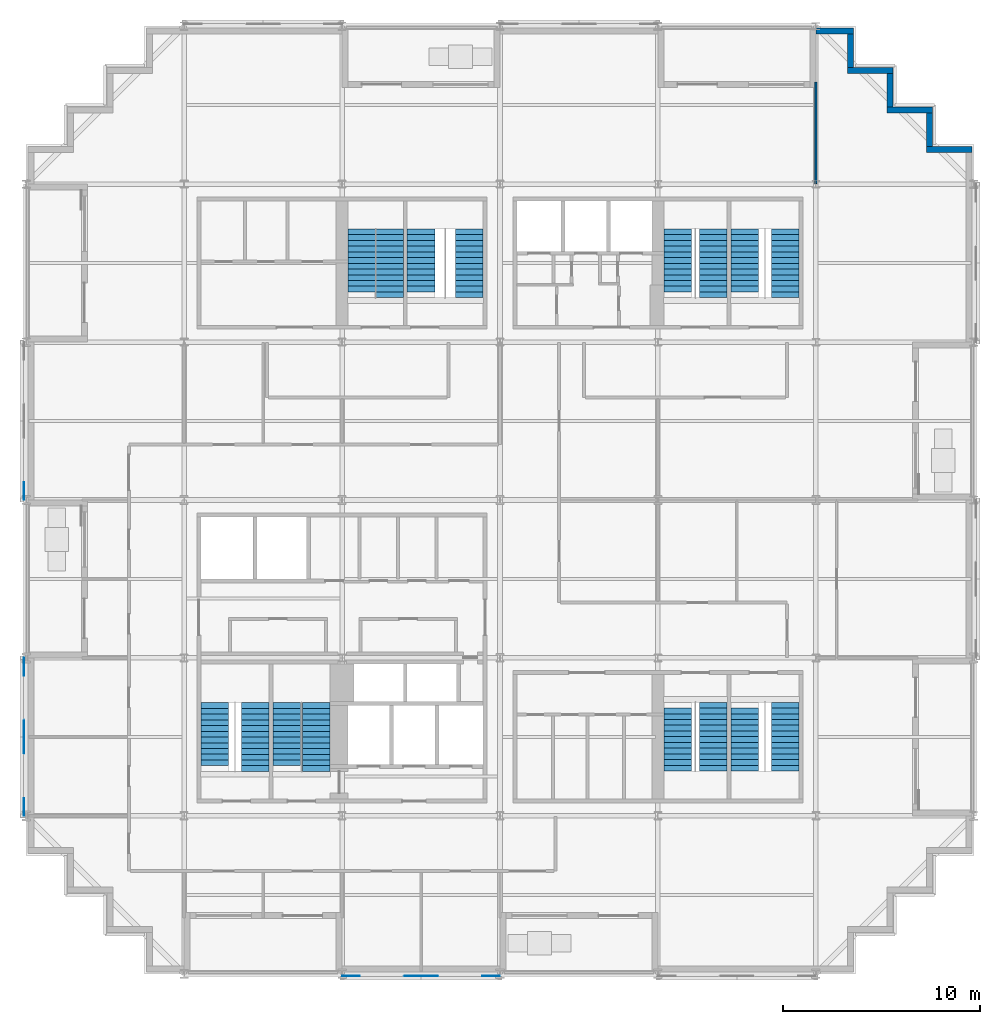
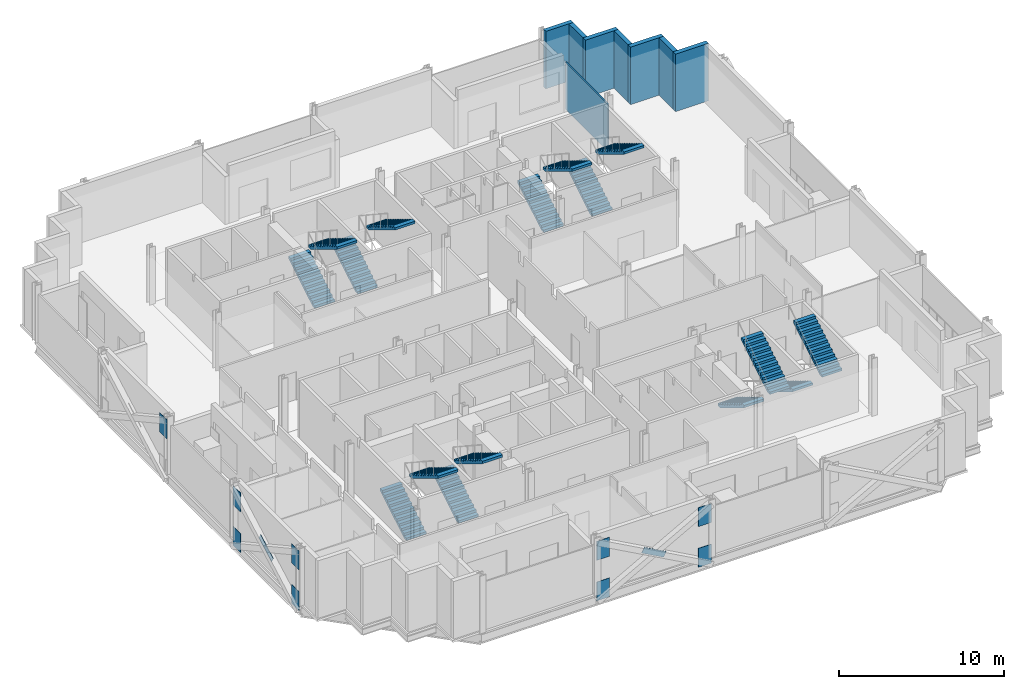
# One storey, part 11 of 15: 16 stair flights, 11 discrete accessories, 8 walls, 8 elements without a shape of their own.
"""IFC4 building model written with IfcOpenShell, lengths in metres."""

import ifcopenshell
import ifcopenshell.guid

model = None  # the IFC model being written
_history = None  # IfcOwnerHistory: only IFC2X3 demands one
_inside = {}  # id of a spatial element -> (the spatial element, [elements in it])
_under = {}  # id of a project, library or spatial element -> (it, [spatial elements below it])
_declared = {}  # id of a project -> (the project, [libraries it declares])
_typed = {}  # id of a type object -> (the type object, [elements of that type])
_made_of = {}  # id of a material, layer set ... -> (it, [elements and type objects made of it])


def new_model(schema):
    """Start an empty IFC model of exactly this schema.

    Asked for "IFC4X3", IfcOpenShell would pick the latest addendum, in which some entities
    have other attributes; the version numbers below select the first issue.
    IFC2X3 requires an IfcOwnerHistory on every rooted entity: one is made here for all.
    """
    global model, _history
    if schema == "IFC4X3":
        model = ifcopenshell.file(schema_version=(4, 3, 0, 0))
    else:
        model = ifcopenshell.file(schema=schema)
    _inside.clear()
    _under.clear()
    _declared.clear()
    _typed.clear()
    _made_of.clear()
    _history = None
    if model.schema == "IFC2X3":
        org = make("IfcOrganization", Name="unknown")
        user = make(
            "IfcPersonAndOrganization",
            ThePerson=make("IfcPerson", FamilyName="unknown"),
            TheOrganization=org,
        )
        app = make(
            "IfcApplication",
            ApplicationDeveloper=org,
            Version="unknown",
            ApplicationFullName="unknown",
            ApplicationIdentifier="unknown",
        )
        _history = make(
            "IfcOwnerHistory",
            OwningUser=user,
            OwningApplication=app,
            ChangeAction="ADDED",
            CreationDate=0,
        )
    return model


def make(cls, **values):
    """One entity of the class cls with the attributes given. An attribute that is None is left unset."""
    return model.create_entity(
        cls, **{name: value for name, value in values.items() if value is not None}
    )


def rooted(cls, **values):
    """An entity with a GlobalId (a new one), such as an element, a storey or a relation."""
    return make(cls, GlobalId=ifcopenshell.guid.new(), OwnerHistory=_history, **values)


def si_unit(unit_type, name, prefix=None):
    """IfcSIUnit, for example si_unit("LENGTHUNIT", "METRE", prefix="MILLI")."""
    return make("IfcSIUnit", UnitType=unit_type, Prefix=prefix, Name=name)


def assignment(units):
    """IfcUnitAssignment: the units of a project."""
    return None if units is None else make("IfcUnitAssignment", Units=units)


def point(xyz):
    """IfcCartesianPoint."""
    return None if xyz is None else make("IfcCartesianPoint", Coordinates=xyz)


def direction(xyz):
    """IfcDirection."""
    return None if xyz is None else make("IfcDirection", DirectionRatios=xyz)


def frame(location, z_axis=None, x_axis=None):
    """IfcAxis2Placement3D, a coordinate frame: its origin and axes. An axis left out is left unset."""
    return make(
        "IfcAxis2Placement3D",
        Location=point(location),
        Axis=direction(z_axis),
        RefDirection=direction(x_axis),
    )


def frame_2d(location, x_axis=None):
    """IfcAxis2Placement2D, a coordinate frame in the plane: its origin and x axis."""
    return make(
        "IfcAxis2Placement2D", Location=point(location), RefDirection=direction(x_axis)
    )


def origin():
    """The frame at (0, 0, 0) with its axes left unset."""
    return frame((0.0, 0.0, 0.0))


def origin_2d():
    """The frame at (0, 0) in the plane with its x axis left unset."""
    return frame_2d((0.0, 0.0))


def place(relative_to, where):
    """IfcLocalPlacement: puts the frame where relative to a parent placement (None: the world)."""
    return make(
        "IfcLocalPlacement", PlacementRelTo=relative_to, RelativePlacement=where
    )


def context(
    kind, dimensions, precision=None, world=None, true_north=None, identifier=None
):
    """IfcGeometricRepresentationContext, for example the 3D "Model" context."""
    return make(
        "IfcGeometricRepresentationContext",
        ContextIdentifier=identifier,
        ContextType=kind,
        CoordinateSpaceDimension=dimensions,
        Precision=precision,
        WorldCoordinateSystem=world,
        TrueNorth=true_north,
    )


def subcontext(parent, identifier, kind, view, scale=None):
    """IfcGeometricRepresentationSubContext, for example "Body" below "Model"."""
    return make(
        "IfcGeometricRepresentationSubContext",
        ContextIdentifier=identifier,
        ContextType=kind,
        ParentContext=parent,
        TargetScale=scale,
        TargetView=view,
    )


def project(units=None, contexts=None):
    """IfcProject with its units and contexts."""
    return rooted(
        "IfcProject",
        Name="project",
        RepresentationContexts=contexts,
        UnitsInContext=assignment(units),
    )


def spatial(cls, under=None, at=None, **own):
    """A site, building, storey or space (cls), placed at a placement, below another one or the project."""
    s = rooted(cls, ObjectPlacement=at, **own)
    if under is not None:
        _under.setdefault(under.id(), (under, []))[1].append(s)
    return s


def polyline(points):
    """IfcPolyline through the points."""
    return make("IfcPolyline", Points=[point(p) for p in points])


def profile(cls, at=None, kind="AREA", **sizes):
    """A parametric profile (cls). Its sizes go by their IFC names, for example OverallWidth=200.0."""
    return make(cls, ProfileType=kind, Position=at, **sizes)


def rectangle(**sizes):
    """IfcRectangleProfileDef."""
    return profile("IfcRectangleProfileDef", **sizes)


def outline(outer, holes=None, kind="AREA"):
    """IfcArbitraryClosedProfileDef: a profile drawn as a closed curve; with holes, ...WithVoids."""
    if holes is None:
        return make("IfcArbitraryClosedProfileDef", ProfileType=kind, OuterCurve=outer)
    return make(
        "IfcArbitraryProfileDefWithVoids",
        ProfileType=kind,
        OuterCurve=outer,
        InnerCurves=holes,
    )


def extrude(swept, where, along, depth):
    """IfcExtrudedAreaSolid: the profile swept, set in the frame where, extruded along a direction by depth."""
    return make(
        "IfcExtrudedAreaSolid",
        SweptArea=swept,
        Position=where,
        ExtrudedDirection=direction(along),
        Depth=depth,
    )


def shape(context_of_items, identifier, shape_type, items):
    """IfcShapeRepresentation: the items that make up one representation, for example the "Body"."""
    return make(
        "IfcShapeRepresentation",
        ContextOfItems=context_of_items,
        RepresentationIdentifier=identifier,
        RepresentationType=shape_type,
        Items=items,
    )


def material(Name=None, Category=None):
    """IfcMaterial."""
    return make("IfcMaterial", Name=Name, Category=Category)


def layer(
    of_material, thickness, ventilated=None, Name=None, Category=None, Priority=None
):
    """IfcMaterialLayer: one layer of a wall or slab, of a material (None: an air gap)."""
    return make(
        "IfcMaterialLayer",
        Material=of_material,
        LayerThickness=thickness,
        IsVentilated=ventilated,
        Name=Name,
        Category=Category,
        Priority=Priority,
    )


def layer_set(layers, Name=None):
    """IfcMaterialLayerSet."""
    return make("IfcMaterialLayerSet", MaterialLayers=layers, LayerSetName=Name)


def material_profile(
    of_material, cross_section, Name=None, Category=None, Priority=None
):
    """IfcMaterialProfile: a cross section and its material."""
    return make(
        "IfcMaterialProfile",
        Name=Name,
        Material=of_material,
        Profile=cross_section,
        Priority=Priority,
        Category=Category,
    )


def profile_set(profiles, Name=None, composite=None):
    """IfcMaterialProfileSet."""
    return make(
        "IfcMaterialProfileSet",
        Name=Name,
        MaterialProfiles=profiles,
        CompositeProfile=composite,
    )


def made_of(thing, what):
    """Note that an element or type object is made of a material, layer set ...; save() writes the relation."""
    if what is not None:
        _made_of.setdefault(what.id(), (what, []))[1].append(thing)
    return thing


def type_object(cls, material=None, **own):
    """A type object (cls), such as IfcWallType, which elements share."""
    return made_of(rooted(cls, **own), material)


def element(
    cls,
    number,
    at=None,
    inside=None,
    cuts=None,
    type_object=None,
    material=None,
    context=None,
    identifier="Body",
    shape_type=None,
    held_by="IfcProductDefinitionShape",
    body=None,
    shapes=None,
    **own,
):
    """One element of the class cls, such as IfcWall. Its Tag is "e" and its number.

    at: its placement. inside: the storey or other place that contains it. cuts: it is an
    opening in that element (IfcRelVoidsElement). A single representation is given by context,
    identifier, shape_type and body (its items); several are given by shapes. held_by: the class
    of the entity that holds the representations. save() writes the other relations.
    """
    e = rooted(cls, Tag="e%d" % number, ObjectPlacement=at, **own)
    if body is not None:
        shapes = [shape(context, identifier, shape_type, body)]
    if shapes is not None:
        e.Representation = make(held_by, Representations=shapes)
    if inside is not None:
        _inside.setdefault(inside.id(), (inside, []))[1].append(e)
    if cuts is not None:
        rooted(
            "IfcRelVoidsElement", RelatingBuildingElement=cuts, RelatedOpeningElement=e
        )
    if type_object is not None:
        _typed.setdefault(type_object.id(), (type_object, []))[1].append(e)
    return made_of(e, material)


def aggregate(whole, parts):
    """IfcRelAggregates: a whole, such as a stair, and the parts it consists of."""
    return rooted("IfcRelAggregates", RelatingObject=whole, RelatedObjects=parts)


def save(model, path):
    """Write the relations noted so far, then the file.

    IfcRelAggregates (storeys below a building ...), IfcRelContainedInSpatialStructure (elements
    in a storey), IfcRelDefinesByType, IfcRelAssociatesMaterial and IfcRelDeclares: one each for
    every whole, place, type object, material and project.
    """
    for whole, parts in _under.values():
        aggregate(whole, parts)
    for where, things in _inside.values():
        rooted(
            "IfcRelContainedInSpatialStructure",
            RelatedElements=things,
            RelatingStructure=where,
        )
    for kind, things in _typed.values():
        rooted("IfcRelDefinesByType", RelatedObjects=things, RelatingType=kind)
    for what, things in _made_of.values():
        rooted("IfcRelAssociatesMaterial", RelatedObjects=things, RelatingMaterial=what)
    for by, libraries in _declared.values():
        rooted("IfcRelDeclares", RelatingContext=by, RelatedDefinitions=libraries)
    model.write(path)


model = new_model("IFC4")

# Units and contexts
model_context = context("Model", 3, precision=1e-05, world=origin(), true_north=direction((0.0, 1.0)))
body_context = subcontext(model_context, "Body", "Model", "MODEL_VIEW")
ifc_project = project(units=[si_unit("LENGTHUNIT", "METRE"), si_unit("AREAUNIT", "SQUARE_METRE"), si_unit("VOLUMEUNIT", "CUBIC_METRE"), si_unit("PLANEANGLEUNIT", "RADIAN"), si_unit("MASSUNIT", "GRAM", prefix="KILO")], contexts=[model_context])

# Site, building, storey
site_placement = place(None, origin())
site = spatial("IfcSite", under=ifc_project, at=site_placement, CompositionType="ELEMENT")
building_placement = place(site_placement, origin())
building = spatial("IfcBuilding", under=site, at=building_placement, Name="Immortelle Media Tower", CompositionType="ELEMENT")
storey_placement = place(building_placement, frame((0.0, 0.0, 83.199951171875)))
storey = spatial("IfcBuildingStorey", under=building, at=storey_placement, Name="L15", CompositionType="ELEMENT", Elevation=83.199951171875)

# Walls
ifc_material_1 = material(Name="Pale aluminium cladding panel", Category="aluminium")
ifc_layer_1 = layer(ifc_material_1, 0.030029296875)
ifc_material_2 = material(Name="Steel ASTM A653 SS Gr 50 stud frame with mineral wool", Category="steel")
ifc_layer_2 = layer(ifc_material_2, 0.257568359375)
ifc_material_3 = material(Name="Moisture-resistant gypsum board", Category="gypsum")
ifc_layer_3 = layer(ifc_material_3, 0.012451171875)
ifc_layer_set_1 = layer_set([ifc_layer_1, ifc_layer_2, ifc_layer_3], Name="Steel ASTM A653 SS Gr 50 stud frame with mineral wool")
wall_type_1 = type_object("IfcWallType", Name="Facade wall 300", PredefinedType="SOLIDWALL", material=ifc_layer_set_1)
wall_1_placement = place(storey_placement, frame((47.89990234375, 41.75, 0.0), z_axis=(0.0, 0.0, 1.0), x_axis=(-1.0, 0.0, 0.0)))
element("IfcWall", 1, at=wall_1_placement, inside=storey, type_object=wall_type_1, Name="Facade wall L15 N15", PredefinedType="SOLIDWALL", context=body_context, shape_type="SweptSolid", body=[
    extrude(rectangle(XDim=2.2998046875, YDim=0.300048828125, at=frame_2d((1.14990234375, 0.0))), origin(), (0.0, 0.0, 1.0), 4.25),
])
wall_2_placement = place(storey_placement, frame((45.75, 41.89990234375, 0.0), z_axis=(0.0, 0.0, 1.0), x_axis=(0.0, 1.0, 0.0)))
element("IfcWall", 2, at=wall_2_placement, inside=storey, type_object=wall_type_1, Name="Facade wall L15 E16", PredefinedType="SOLIDWALL", context=body_context, shape_type="SweptSolid", body=[
    extrude(rectangle(XDim=1.7001953125, YDim=0.300048828125, at=frame_2d((0.85009765625, 0.0))), origin(), (0.0, 0.0, 1.0), 4.25),
])
wall_3_placement = place(storey_placement, frame((45.89990234375, 43.75, 0.0), z_axis=(0.0, 0.0, 1.0), x_axis=(-1.0, 0.0, 0.0)))
element("IfcWall", 3, at=wall_3_placement, inside=storey, type_object=wall_type_1, Name="Facade wall L15 N17", PredefinedType="SOLIDWALL", context=body_context, shape_type="SweptSolid", body=[
    extrude(rectangle(XDim=2.2998046875, YDim=0.300048828125, at=frame_2d((1.14990234375, 0.0))), origin(), (0.0, 0.0, 1.0), 4.25),
])
wall_4_placement = place(storey_placement, frame((43.75, 43.89990234375, 0.0), z_axis=(0.0, 0.0, 1.0), x_axis=(0.0, 1.0, 0.0)))
element("IfcWall", 4, at=wall_4_placement, inside=storey, type_object=wall_type_1, Name="Facade wall L15 E18", PredefinedType="SOLIDWALL", context=body_context, shape_type="SweptSolid", body=[
    extrude(rectangle(XDim=1.7001953125, YDim=0.300048828125, at=frame_2d((0.85009765625, 0.0))), origin(), (0.0, 0.0, 1.0), 4.25),
])
wall_5_placement = place(storey_placement, frame((43.89990234375, 45.75, 0.0), z_axis=(0.0, 0.0, 1.0), x_axis=(-1.0, 0.0, 0.0)))
element("IfcWall", 5, at=wall_5_placement, inside=storey, type_object=wall_type_1, Name="Facade wall L15 N19", PredefinedType="SOLIDWALL", context=body_context, shape_type="SweptSolid", body=[
    extrude(rectangle(XDim=2.2998046875, YDim=0.300048828125, at=frame_2d((1.14990234375, 0.0))), origin(), (0.0, 0.0, 1.0), 4.25),
])
wall_6_placement = place(storey_placement, frame((41.75, 45.89990234375, 0.0), z_axis=(0.0, 0.0, 1.0), x_axis=(0.0, 1.0, 0.0)))
element("IfcWall", 6, at=wall_6_placement, inside=storey, type_object=wall_type_1, Name="Facade wall L15 E20", PredefinedType="SOLIDWALL", context=body_context, shape_type="SweptSolid", body=[
    extrude(rectangle(XDim=1.7001953125, YDim=0.300048828125, at=frame_2d((0.85009765625, 0.0))), origin(), (0.0, 0.0, 1.0), 4.25),
])
wall_7_placement = place(storey_placement, frame((41.89990234375, 47.75, 0.0), z_axis=(0.0, 0.0, 1.0), x_axis=(-1.0, 0.0, 0.0)))
element("IfcWall", 7, at=wall_7_placement, inside=storey, type_object=wall_type_1, Name="Facade wall L15 N21", PredefinedType="SOLIDWALL", context=body_context, shape_type="SweptSolid", body=[
    extrude(rectangle(XDim=1.89990234375, YDim=0.300048828125, at=frame_2d((0.949951171875, 0.0))), origin(), (0.0, 0.0, 1.0), 4.25),
])
ifc_material_4 = material(Name="Gypsum board", Category="gypsum")
ifc_layer_4 = layer(ifc_material_4, 0.012451171875)
ifc_layer_5 = layer(ifc_material_2, 0.074951171875)
ifc_layer_6 = layer(ifc_material_4, 0.012451171875)
ifc_layer_set_2 = layer_set([ifc_layer_4, ifc_layer_5, ifc_layer_6], Name="Steel ASTM A653 SS Gr 50 stud frame with mineral wool")
wall_type_2 = type_object("IfcWallType", Name="Partition 100", PredefinedType="PARTITIONING", material=ifc_layer_set_2)
wall_8_placement = place(storey_placement, frame((40.0, 40.030029296875, 0.0), z_axis=(0.0, 0.0, 1.0), x_axis=(0.0, 1.0, 0.0)))
element("IfcWall", 8, at=wall_8_placement, inside=storey, type_object=wall_type_2, Name="Partition L15-038", PredefinedType="PARTITIONING", context=body_context, shape_type="SweptSolid", body=[
    extrude(rectangle(XDim=5.139892578125, YDim=0.10009765625, at=frame_2d((2.56982421875, 0.0))), origin(), (0.0, 0.0, 1.0), 3.469970703125),
])

# Stair, stair flights
ifc_material_5 = material(Name="Steel ASTM A992 Gr 50", Category="steel")
stair_type = type_object("IfcStairType", Name="Stair with flights", PredefinedType="DOUBLE_RETURN_STAIR", material=ifc_material_5)
stair_1_placement = place(storey_placement, origin())
stair_1 = element("IfcStair", 9, at=stair_1_placement, inside=storey, type_object=stair_type, Name="Exit stair SW1", PredefinedType="DOUBLE_RETURN_STAIR")
stair_flight_type = type_object("IfcStairFlightType", Name="Stair flight 1400", PredefinedType="STRAIGHT", material=ifc_material_5)
stair_flight_1_placement = place(storey_placement, frame((9.550048828125, 10.5400390625, 0.0), z_axis=(0.0, 0.0, 1.0), x_axis=(0.0, 1.0, 0.0)))
stair_flight_1 = element("IfcStairFlight", 10, at=stair_flight_1_placement, type_object=stair_flight_type, Name="ST SW1 flight 1", NumberOfRisers=12, NumberOfTreads=11, PredefinedType="STRAIGHT", RiserHeight=0.176, TreadLength=0.29, context=body_context, shape_type="SweptSolid", body=[
    extrude(outline(polyline([(0.0, 0.0), (0.0, 0.176025390625), (0.2900390625, 0.176025390625), (0.2900390625, 0.35205078125), (0.580078125, 0.35205078125), (0.580078125, 0.528076171875), (0.8701171875, 0.528076171875), (0.8701171875, 0.7041015625), (1.159912109375, 0.7041015625), (1.159912109375, 0.8798828125), (1.449951171875, 0.8798828125), (1.449951171875, 1.055908203125), (1.739990234375, 1.055908203125), (1.739990234375, 1.23193359375), (2.030029296875, 1.23193359375), (2.030029296875, 1.407958984375), (2.320068359375, 1.407958984375), (2.320068359375, 1.583984375), (2.610107421875, 1.583984375), (2.610107421875, 1.760009765625), (2.89990234375, 1.760009765625), (2.89990234375, 1.93603515625), (3.18994140625, 1.93603515625), (3.18994140625, 2.112060546875), (3.18994140625, 1.7607421875), (0.288818359375, 0.0), (0.0, 0.0)])), frame((0.0, 0.699951171875, 0.0), z_axis=(0.0, -1.0, 0.0), x_axis=(1.0, 0.0, 0.0)), (0.0, 0.0, 1.0), 1.39990234375),
])
stair_flight_2_placement = place(storey_placement, frame((11.60009765625, 13.72998046875, 2.112060546875), z_axis=(0.0, 0.0, 1.0), x_axis=(0.0, -1.0, 0.0)))
stair_flight_2 = element("IfcStairFlight", 11, at=stair_flight_2_placement, type_object=stair_flight_type, Name="ST SW1 flight 2", NumberOfRisers=13, NumberOfTreads=12, PredefinedType="STRAIGHT", RiserHeight=0.176, TreadLength=0.29, context=body_context, shape_type="SweptSolid", body=[
    extrude(outline(polyline([(0.0, 0.0), (0.0, 0.176025390625), (0.2900390625, 0.176025390625), (0.2900390625, 0.35205078125), (0.580078125, 0.35205078125), (0.580078125, 0.528076171875), (0.8701171875, 0.528076171875), (0.8701171875, 0.7041015625), (1.159912109375, 0.7041015625), (1.159912109375, 0.8798828125), (1.449951171875, 0.8798828125), (1.449951171875, 1.055908203125), (1.739990234375, 1.055908203125), (1.739990234375, 1.23193359375), (2.030029296875, 1.23193359375), (2.030029296875, 1.407958984375), (2.320068359375, 1.407958984375), (2.320068359375, 1.583984375), (2.610107421875, 1.583984375), (2.610107421875, 1.760009765625), (2.89990234375, 1.760009765625), (2.89990234375, 1.93603515625), (3.18994140625, 1.93603515625), (3.18994140625, 2.112060546875), (3.47998046875, 2.112060546875), (3.47998046875, 2.2880859375), (3.47998046875, 1.936767578125), (0.288818359375, 0.0), (0.0, 0.0)])), frame((0.0, 0.699951171875, 0.0), z_axis=(0.0, -1.0, 0.0), x_axis=(1.0, 0.0, 0.0)), (0.0, 0.0, 1.0), 1.39990234375),
])
aggregate(stair_1, [stair_flight_1, stair_flight_2])

stair_2_placement = place(storey_placement, origin())
stair_2 = element("IfcStair", 12, at=stair_2_placement, inside=storey, type_object=stair_type, Name="Exit stair SW2", PredefinedType="DOUBLE_RETURN_STAIR")
stair_flight_3_placement = place(storey_placement, frame((13.199951171875, 10.5400390625, 0.0), z_axis=(0.0, 0.0, 1.0), x_axis=(0.0, 1.0, 0.0)))
stair_flight_3 = element("IfcStairFlight", 13, at=stair_flight_3_placement, type_object=stair_flight_type, Name="ST SW2 flight 1", NumberOfRisers=12, NumberOfTreads=11, PredefinedType="STRAIGHT", RiserHeight=0.176, TreadLength=0.29, context=body_context, shape_type="SweptSolid", body=[
    extrude(outline(polyline([(0.0, 0.0), (0.0, 0.176025390625), (0.2900390625, 0.176025390625), (0.2900390625, 0.35205078125), (0.580078125, 0.35205078125), (0.580078125, 0.528076171875), (0.8701171875, 0.528076171875), (0.8701171875, 0.7041015625), (1.159912109375, 0.7041015625), (1.159912109375, 0.8798828125), (1.449951171875, 0.8798828125), (1.449951171875, 1.055908203125), (1.739990234375, 1.055908203125), (1.739990234375, 1.23193359375), (2.030029296875, 1.23193359375), (2.030029296875, 1.407958984375), (2.320068359375, 1.407958984375), (2.320068359375, 1.583984375), (2.610107421875, 1.583984375), (2.610107421875, 1.760009765625), (2.89990234375, 1.760009765625), (2.89990234375, 1.93603515625), (3.18994140625, 1.93603515625), (3.18994140625, 2.112060546875), (3.18994140625, 1.7607421875), (0.288818359375, 0.0), (0.0, 0.0)])), frame((0.0, 0.699951171875, 0.0), z_axis=(0.0, -1.0, 0.0), x_axis=(1.0, 0.0, 0.0)), (0.0, 0.0, 1.0), 1.39990234375),
])
stair_flight_4_placement = place(storey_placement, frame((14.699951171875, 13.72998046875, 2.112060546875), z_axis=(0.0, 0.0, 1.0), x_axis=(0.0, -1.0, 0.0)))
stair_flight_4 = element("IfcStairFlight", 14, at=stair_flight_4_placement, type_object=stair_flight_type, Name="ST SW2 flight 2", NumberOfRisers=13, NumberOfTreads=12, PredefinedType="STRAIGHT", RiserHeight=0.176, TreadLength=0.29, context=body_context, shape_type="SweptSolid", body=[
    extrude(outline(polyline([(0.0, 0.0), (0.0, 0.176025390625), (0.2900390625, 0.176025390625), (0.2900390625, 0.35205078125), (0.580078125, 0.35205078125), (0.580078125, 0.528076171875), (0.8701171875, 0.528076171875), (0.8701171875, 0.7041015625), (1.159912109375, 0.7041015625), (1.159912109375, 0.8798828125), (1.449951171875, 0.8798828125), (1.449951171875, 1.055908203125), (1.739990234375, 1.055908203125), (1.739990234375, 1.23193359375), (2.030029296875, 1.23193359375), (2.030029296875, 1.407958984375), (2.320068359375, 1.407958984375), (2.320068359375, 1.583984375), (2.610107421875, 1.583984375), (2.610107421875, 1.760009765625), (2.89990234375, 1.760009765625), (2.89990234375, 1.93603515625), (3.18994140625, 1.93603515625), (3.18994140625, 2.112060546875), (3.47998046875, 2.112060546875), (3.47998046875, 2.2880859375), (3.47998046875, 1.936767578125), (0.288818359375, 0.0), (0.0, 0.0)])), frame((0.0, 0.699951171875, 0.0), z_axis=(0.0, -1.0, 0.0), x_axis=(1.0, 0.0, 0.0)), (0.0, 0.0, 1.0), 1.39990234375),
])
aggregate(stair_2, [stair_flight_3, stair_flight_4])

stair_3_placement = place(storey_placement, origin())
stair_3 = element("IfcStair", 15, at=stair_3_placement, inside=storey, type_object=stair_type, Name="Exit stair SE1", PredefinedType="DOUBLE_RETURN_STAIR")
stair_flight_5_placement = place(storey_placement, frame((33.0, 13.4599609375, 0.0), z_axis=(0.0, 0.0, 1.0), x_axis=(0.0, -1.0, 0.0)))
stair_flight_5 = element("IfcStairFlight", 16, at=stair_flight_5_placement, type_object=stair_flight_type, Name="ST SE1 flight 1", NumberOfRisers=12, NumberOfTreads=11, PredefinedType="STRAIGHT", RiserHeight=0.176, TreadLength=0.29, context=body_context, shape_type="SweptSolid", body=[
    extrude(outline(polyline([(0.0, 0.0), (0.0, 0.176025390625), (0.2900390625, 0.176025390625), (0.2900390625, 0.35205078125), (0.580078125, 0.35205078125), (0.580078125, 0.528076171875), (0.8701171875, 0.528076171875), (0.8701171875, 0.7041015625), (1.159912109375, 0.7041015625), (1.159912109375, 0.8798828125), (1.449951171875, 0.8798828125), (1.449951171875, 1.055908203125), (1.739990234375, 1.055908203125), (1.739990234375, 1.23193359375), (2.030029296875, 1.23193359375), (2.030029296875, 1.407958984375), (2.320068359375, 1.407958984375), (2.320068359375, 1.583984375), (2.610107421875, 1.583984375), (2.610107421875, 1.760009765625), (2.89990234375, 1.760009765625), (2.89990234375, 1.93603515625), (3.18994140625, 1.93603515625), (3.18994140625, 2.112060546875), (3.18994140625, 1.7607421875), (0.288818359375, 0.0), (0.0, 0.0)])), frame((0.0, 0.699951171875, 0.0), z_axis=(0.0, -1.0, 0.0), x_axis=(1.0, 0.0, 0.0)), (0.0, 0.0, 1.0), 1.39990234375),
])
stair_flight_6_placement = place(storey_placement, frame((34.800048828125, 10.27001953125, 2.112060546875), z_axis=(0.0, 0.0, 1.0), x_axis=(0.0, 1.0, 0.0)))
stair_flight_6 = element("IfcStairFlight", 17, at=stair_flight_6_placement, type_object=stair_flight_type, Name="ST SE1 flight 2", NumberOfRisers=13, NumberOfTreads=12, PredefinedType="STRAIGHT", RiserHeight=0.176, TreadLength=0.29, context=body_context, shape_type="SweptSolid", body=[
    extrude(outline(polyline([(0.0, 0.0), (0.0, 0.176025390625), (0.2900390625, 0.176025390625), (0.2900390625, 0.35205078125), (0.580078125, 0.35205078125), (0.580078125, 0.528076171875), (0.8701171875, 0.528076171875), (0.8701171875, 0.7041015625), (1.159912109375, 0.7041015625), (1.159912109375, 0.8798828125), (1.449951171875, 0.8798828125), (1.449951171875, 1.055908203125), (1.739990234375, 1.055908203125), (1.739990234375, 1.23193359375), (2.030029296875, 1.23193359375), (2.030029296875, 1.407958984375), (2.320068359375, 1.407958984375), (2.320068359375, 1.583984375), (2.610107421875, 1.583984375), (2.610107421875, 1.760009765625), (2.89990234375, 1.760009765625), (2.89990234375, 1.93603515625), (3.18994140625, 1.93603515625), (3.18994140625, 2.112060546875), (3.47998046875, 2.112060546875), (3.47998046875, 2.2880859375), (3.47998046875, 1.936767578125), (0.288818359375, 0.0), (0.0, 0.0)])), frame((0.0, 0.699951171875, 0.0), z_axis=(0.0, -1.0, 0.0), x_axis=(1.0, 0.0, 0.0)), (0.0, 0.0, 1.0), 1.39990234375),
])
aggregate(stair_3, [stair_flight_5, stair_flight_6])

stair_4_placement = place(storey_placement, origin())
stair_4 = element("IfcStair", 18, at=stair_4_placement, inside=storey, type_object=stair_type, Name="Exit stair SE2", PredefinedType="DOUBLE_RETURN_STAIR")
stair_flight_7_placement = place(storey_placement, frame((36.39990234375, 13.4599609375, 0.0), z_axis=(0.0, 0.0, 1.0), x_axis=(0.0, -1.0, 0.0)))
stair_flight_7 = element("IfcStairFlight", 19, at=stair_flight_7_placement, type_object=stair_flight_type, Name="ST SE2 flight 1", NumberOfRisers=12, NumberOfTreads=11, PredefinedType="STRAIGHT", RiserHeight=0.176, TreadLength=0.29, context=body_context, shape_type="SweptSolid", body=[
    extrude(outline(polyline([(0.0, 0.0), (0.0, 0.176025390625), (0.2900390625, 0.176025390625), (0.2900390625, 0.35205078125), (0.580078125, 0.35205078125), (0.580078125, 0.528076171875), (0.8701171875, 0.528076171875), (0.8701171875, 0.7041015625), (1.159912109375, 0.7041015625), (1.159912109375, 0.8798828125), (1.449951171875, 0.8798828125), (1.449951171875, 1.055908203125), (1.739990234375, 1.055908203125), (1.739990234375, 1.23193359375), (2.030029296875, 1.23193359375), (2.030029296875, 1.407958984375), (2.320068359375, 1.407958984375), (2.320068359375, 1.583984375), (2.610107421875, 1.583984375), (2.610107421875, 1.760009765625), (2.89990234375, 1.760009765625), (2.89990234375, 1.93603515625), (3.18994140625, 1.93603515625), (3.18994140625, 2.112060546875), (3.18994140625, 1.7607421875), (0.288818359375, 0.0), (0.0, 0.0)])), frame((0.0, 0.699951171875, 0.0), z_axis=(0.0, -1.0, 0.0), x_axis=(1.0, 0.0, 0.0)), (0.0, 0.0, 1.0), 1.39990234375),
])
stair_flight_8_placement = place(storey_placement, frame((38.449951171875, 10.27001953125, 2.112060546875), z_axis=(0.0, 0.0, 1.0), x_axis=(0.0, 1.0, 0.0)))
stair_flight_8 = element("IfcStairFlight", 20, at=stair_flight_8_placement, type_object=stair_flight_type, Name="ST SE2 flight 2", NumberOfRisers=13, NumberOfTreads=12, PredefinedType="STRAIGHT", RiserHeight=0.176, TreadLength=0.29, context=body_context, shape_type="SweptSolid", body=[
    extrude(outline(polyline([(0.0, 0.0), (0.0, 0.176025390625), (0.2900390625, 0.176025390625), (0.2900390625, 0.35205078125), (0.580078125, 0.35205078125), (0.580078125, 0.528076171875), (0.8701171875, 0.528076171875), (0.8701171875, 0.7041015625), (1.159912109375, 0.7041015625), (1.159912109375, 0.8798828125), (1.449951171875, 0.8798828125), (1.449951171875, 1.055908203125), (1.739990234375, 1.055908203125), (1.739990234375, 1.23193359375), (2.030029296875, 1.23193359375), (2.030029296875, 1.407958984375), (2.320068359375, 1.407958984375), (2.320068359375, 1.583984375), (2.610107421875, 1.583984375), (2.610107421875, 1.760009765625), (2.89990234375, 1.760009765625), (2.89990234375, 1.93603515625), (3.18994140625, 1.93603515625), (3.18994140625, 2.112060546875), (3.47998046875, 2.112060546875), (3.47998046875, 2.2880859375), (3.47998046875, 1.936767578125), (0.288818359375, 0.0), (0.0, 0.0)])), frame((0.0, 0.699951171875, 0.0), z_axis=(0.0, -1.0, 0.0), x_axis=(1.0, 0.0, 0.0)), (0.0, 0.0, 1.0), 1.39990234375),
])
aggregate(stair_4, [stair_flight_7, stair_flight_8])

stair_5_placement = place(storey_placement, origin())
stair_5 = element("IfcStair", 21, at=stair_5_placement, inside=storey, type_object=stair_type, Name="Exit stair NW1", PredefinedType="DOUBLE_RETURN_STAIR")
stair_flight_9_placement = place(storey_placement, frame((17.0, 34.5400390625, 0.0), z_axis=(0.0, 0.0, 1.0), x_axis=(0.0, 1.0, 0.0)))
stair_flight_9 = element("IfcStairFlight", 22, at=stair_flight_9_placement, type_object=stair_flight_type, Name="ST NW1 flight 1", NumberOfRisers=12, NumberOfTreads=11, PredefinedType="STRAIGHT", RiserHeight=0.176, TreadLength=0.29, context=body_context, shape_type="SweptSolid", body=[
    extrude(outline(polyline([(0.0, 0.0), (0.0, 0.176025390625), (0.2900390625, 0.176025390625), (0.2900390625, 0.35205078125), (0.580078125, 0.35205078125), (0.580078125, 0.528076171875), (0.8701171875, 0.528076171875), (0.8701171875, 0.7041015625), (1.159912109375, 0.7041015625), (1.159912109375, 0.8798828125), (1.449951171875, 0.8798828125), (1.449951171875, 1.055908203125), (1.739990234375, 1.055908203125), (1.739990234375, 1.23193359375), (2.030029296875, 1.23193359375), (2.030029296875, 1.407958984375), (2.320068359375, 1.407958984375), (2.320068359375, 1.583984375), (2.610107421875, 1.583984375), (2.610107421875, 1.760009765625), (2.89990234375, 1.760009765625), (2.89990234375, 1.93603515625), (3.18994140625, 1.93603515625), (3.18994140625, 2.112060546875), (3.18994140625, 1.7607421875), (0.288818359375, 0.0), (0.0, 0.0)])), frame((0.0, 0.699951171875, 0.0), z_axis=(0.0, -1.0, 0.0), x_axis=(1.0, 0.0, 0.0)), (0.0, 0.0, 1.0), 1.39990234375),
])
stair_flight_10_placement = place(storey_placement, frame((18.39990234375, 37.72998046875, 2.112060546875), z_axis=(0.0, 0.0, 1.0), x_axis=(0.0, -1.0, 0.0)))
stair_flight_10 = element("IfcStairFlight", 23, at=stair_flight_10_placement, type_object=stair_flight_type, Name="ST NW1 flight 2", NumberOfRisers=13, NumberOfTreads=12, PredefinedType="STRAIGHT", RiserHeight=0.176, TreadLength=0.29, context=body_context, shape_type="SweptSolid", body=[
    extrude(outline(polyline([(0.0, 0.0), (0.0, 0.176025390625), (0.2900390625, 0.176025390625), (0.2900390625, 0.35205078125), (0.580078125, 0.35205078125), (0.580078125, 0.528076171875), (0.8701171875, 0.528076171875), (0.8701171875, 0.7041015625), (1.159912109375, 0.7041015625), (1.159912109375, 0.8798828125), (1.449951171875, 0.8798828125), (1.449951171875, 1.055908203125), (1.739990234375, 1.055908203125), (1.739990234375, 1.23193359375), (2.030029296875, 1.23193359375), (2.030029296875, 1.407958984375), (2.320068359375, 1.407958984375), (2.320068359375, 1.583984375), (2.610107421875, 1.583984375), (2.610107421875, 1.760009765625), (2.89990234375, 1.760009765625), (2.89990234375, 1.93603515625), (3.18994140625, 1.93603515625), (3.18994140625, 2.112060546875), (3.47998046875, 2.112060546875), (3.47998046875, 2.2880859375), (3.47998046875, 1.936767578125), (0.288818359375, 0.0), (0.0, 0.0)])), frame((0.0, 0.699951171875, 0.0), z_axis=(0.0, -1.0, 0.0), x_axis=(1.0, 0.0, 0.0)), (0.0, 0.0, 1.0), 1.39990234375),
])
aggregate(stair_5, [stair_flight_9, stair_flight_10])

stair_6_placement = place(storey_placement, origin())
stair_6 = element("IfcStair", 24, at=stair_6_placement, inside=storey, type_object=stair_type, Name="Exit stair NW2", PredefinedType="DOUBLE_RETURN_STAIR")
stair_flight_11_placement = place(storey_placement, frame((20.0, 34.5400390625, 0.0), z_axis=(0.0, 0.0, 1.0), x_axis=(0.0, 1.0, 0.0)))
stair_flight_11 = element("IfcStairFlight", 25, at=stair_flight_11_placement, type_object=stair_flight_type, Name="ST NW2 flight 1", NumberOfRisers=12, NumberOfTreads=11, PredefinedType="STRAIGHT", RiserHeight=0.176, TreadLength=0.29, context=body_context, shape_type="SweptSolid", body=[
    extrude(outline(polyline([(0.0, 0.0), (0.0, 0.176025390625), (0.2900390625, 0.176025390625), (0.2900390625, 0.35205078125), (0.580078125, 0.35205078125), (0.580078125, 0.528076171875), (0.8701171875, 0.528076171875), (0.8701171875, 0.7041015625), (1.159912109375, 0.7041015625), (1.159912109375, 0.8798828125), (1.449951171875, 0.8798828125), (1.449951171875, 1.055908203125), (1.739990234375, 1.055908203125), (1.739990234375, 1.23193359375), (2.030029296875, 1.23193359375), (2.030029296875, 1.407958984375), (2.320068359375, 1.407958984375), (2.320068359375, 1.583984375), (2.610107421875, 1.583984375), (2.610107421875, 1.760009765625), (2.89990234375, 1.760009765625), (2.89990234375, 1.93603515625), (3.18994140625, 1.93603515625), (3.18994140625, 2.112060546875), (3.18994140625, 1.7607421875), (0.288818359375, 0.0), (0.0, 0.0)])), frame((0.0, 0.699951171875, 0.0), z_axis=(0.0, -1.0, 0.0), x_axis=(1.0, 0.0, 0.0)), (0.0, 0.0, 1.0), 1.39990234375),
])
stair_flight_12_placement = place(storey_placement, frame((22.449951171875, 37.72998046875, 2.112060546875), z_axis=(0.0, 0.0, 1.0), x_axis=(0.0, -1.0, 0.0)))
stair_flight_12 = element("IfcStairFlight", 26, at=stair_flight_12_placement, type_object=stair_flight_type, Name="ST NW2 flight 2", NumberOfRisers=13, NumberOfTreads=12, PredefinedType="STRAIGHT", RiserHeight=0.176, TreadLength=0.29, context=body_context, shape_type="SweptSolid", body=[
    extrude(outline(polyline([(0.0, 0.0), (0.0, 0.176025390625), (0.2900390625, 0.176025390625), (0.2900390625, 0.35205078125), (0.580078125, 0.35205078125), (0.580078125, 0.528076171875), (0.8701171875, 0.528076171875), (0.8701171875, 0.7041015625), (1.159912109375, 0.7041015625), (1.159912109375, 0.8798828125), (1.449951171875, 0.8798828125), (1.449951171875, 1.055908203125), (1.739990234375, 1.055908203125), (1.739990234375, 1.23193359375), (2.030029296875, 1.23193359375), (2.030029296875, 1.407958984375), (2.320068359375, 1.407958984375), (2.320068359375, 1.583984375), (2.610107421875, 1.583984375), (2.610107421875, 1.760009765625), (2.89990234375, 1.760009765625), (2.89990234375, 1.93603515625), (3.18994140625, 1.93603515625), (3.18994140625, 2.112060546875), (3.47998046875, 2.112060546875), (3.47998046875, 2.2880859375), (3.47998046875, 1.936767578125), (0.288818359375, 0.0), (0.0, 0.0)])), frame((0.0, 0.699951171875, 0.0), z_axis=(0.0, -1.0, 0.0), x_axis=(1.0, 0.0, 0.0)), (0.0, 0.0, 1.0), 1.39990234375),
])
aggregate(stair_6, [stair_flight_11, stair_flight_12])

stair_7_placement = place(storey_placement, origin())
stair_7 = element("IfcStair", 27, at=stair_7_placement, inside=storey, type_object=stair_type, Name="Exit stair NE1", PredefinedType="DOUBLE_RETURN_STAIR")
stair_flight_13_placement = place(storey_placement, frame((33.0, 34.5400390625, 0.0), z_axis=(0.0, 0.0, 1.0), x_axis=(0.0, 1.0, 0.0)))
stair_flight_13 = element("IfcStairFlight", 28, at=stair_flight_13_placement, type_object=stair_flight_type, Name="ST NE1 flight 1", NumberOfRisers=12, NumberOfTreads=11, PredefinedType="STRAIGHT", RiserHeight=0.176, TreadLength=0.29, context=body_context, shape_type="SweptSolid", body=[
    extrude(outline(polyline([(0.0, 0.0), (0.0, 0.176025390625), (0.2900390625, 0.176025390625), (0.2900390625, 0.35205078125), (0.580078125, 0.35205078125), (0.580078125, 0.528076171875), (0.8701171875, 0.528076171875), (0.8701171875, 0.7041015625), (1.159912109375, 0.7041015625), (1.159912109375, 0.8798828125), (1.449951171875, 0.8798828125), (1.449951171875, 1.055908203125), (1.739990234375, 1.055908203125), (1.739990234375, 1.23193359375), (2.030029296875, 1.23193359375), (2.030029296875, 1.407958984375), (2.320068359375, 1.407958984375), (2.320068359375, 1.583984375), (2.610107421875, 1.583984375), (2.610107421875, 1.760009765625), (2.89990234375, 1.760009765625), (2.89990234375, 1.93603515625), (3.18994140625, 1.93603515625), (3.18994140625, 2.112060546875), (3.18994140625, 1.7607421875), (0.288818359375, 0.0), (0.0, 0.0)])), frame((0.0, 0.699951171875, 0.0), z_axis=(0.0, -1.0, 0.0), x_axis=(1.0, 0.0, 0.0)), (0.0, 0.0, 1.0), 1.39990234375),
])
stair_flight_14_placement = place(storey_placement, frame((34.800048828125, 37.72998046875, 2.112060546875), z_axis=(0.0, 0.0, 1.0), x_axis=(0.0, -1.0, 0.0)))
stair_flight_14 = element("IfcStairFlight", 29, at=stair_flight_14_placement, type_object=stair_flight_type, Name="ST NE1 flight 2", NumberOfRisers=13, NumberOfTreads=12, PredefinedType="STRAIGHT", RiserHeight=0.176, TreadLength=0.29, context=body_context, shape_type="SweptSolid", body=[
    extrude(outline(polyline([(0.0, 0.0), (0.0, 0.176025390625), (0.2900390625, 0.176025390625), (0.2900390625, 0.35205078125), (0.580078125, 0.35205078125), (0.580078125, 0.528076171875), (0.8701171875, 0.528076171875), (0.8701171875, 0.7041015625), (1.159912109375, 0.7041015625), (1.159912109375, 0.8798828125), (1.449951171875, 0.8798828125), (1.449951171875, 1.055908203125), (1.739990234375, 1.055908203125), (1.739990234375, 1.23193359375), (2.030029296875, 1.23193359375), (2.030029296875, 1.407958984375), (2.320068359375, 1.407958984375), (2.320068359375, 1.583984375), (2.610107421875, 1.583984375), (2.610107421875, 1.760009765625), (2.89990234375, 1.760009765625), (2.89990234375, 1.93603515625), (3.18994140625, 1.93603515625), (3.18994140625, 2.112060546875), (3.47998046875, 2.112060546875), (3.47998046875, 2.2880859375), (3.47998046875, 1.936767578125), (0.288818359375, 0.0), (0.0, 0.0)])), frame((0.0, 0.699951171875, 0.0), z_axis=(0.0, -1.0, 0.0), x_axis=(1.0, 0.0, 0.0)), (0.0, 0.0, 1.0), 1.39990234375),
])
aggregate(stair_7, [stair_flight_13, stair_flight_14])

stair_8_placement = place(storey_placement, origin())
stair_8 = element("IfcStair", 30, at=stair_8_placement, inside=storey, type_object=stair_type, Name="Exit stair NE2", PredefinedType="DOUBLE_RETURN_STAIR")
stair_flight_15_placement = place(storey_placement, frame((36.39990234375, 34.5400390625, 0.0), z_axis=(0.0, 0.0, 1.0), x_axis=(0.0, 1.0, 0.0)))
stair_flight_15 = element("IfcStairFlight", 31, at=stair_flight_15_placement, type_object=stair_flight_type, Name="ST NE2 flight 1", NumberOfRisers=12, NumberOfTreads=11, PredefinedType="STRAIGHT", RiserHeight=0.176, TreadLength=0.29, context=body_context, shape_type="SweptSolid", body=[
    extrude(outline(polyline([(0.0, 0.0), (0.0, 0.176025390625), (0.2900390625, 0.176025390625), (0.2900390625, 0.35205078125), (0.580078125, 0.35205078125), (0.580078125, 0.528076171875), (0.8701171875, 0.528076171875), (0.8701171875, 0.7041015625), (1.159912109375, 0.7041015625), (1.159912109375, 0.8798828125), (1.449951171875, 0.8798828125), (1.449951171875, 1.055908203125), (1.739990234375, 1.055908203125), (1.739990234375, 1.23193359375), (2.030029296875, 1.23193359375), (2.030029296875, 1.407958984375), (2.320068359375, 1.407958984375), (2.320068359375, 1.583984375), (2.610107421875, 1.583984375), (2.610107421875, 1.760009765625), (2.89990234375, 1.760009765625), (2.89990234375, 1.93603515625), (3.18994140625, 1.93603515625), (3.18994140625, 2.112060546875), (3.18994140625, 1.7607421875), (0.288818359375, 0.0), (0.0, 0.0)])), frame((0.0, 0.699951171875, 0.0), z_axis=(0.0, -1.0, 0.0), x_axis=(1.0, 0.0, 0.0)), (0.0, 0.0, 1.0), 1.39990234375),
])
stair_flight_16_placement = place(storey_placement, frame((38.449951171875, 37.72998046875, 2.112060546875), z_axis=(0.0, 0.0, 1.0), x_axis=(0.0, -1.0, 0.0)))
stair_flight_16 = element("IfcStairFlight", 32, at=stair_flight_16_placement, type_object=stair_flight_type, Name="ST NE2 flight 2", NumberOfRisers=13, NumberOfTreads=12, PredefinedType="STRAIGHT", RiserHeight=0.176, TreadLength=0.29, context=body_context, shape_type="SweptSolid", body=[
    extrude(outline(polyline([(0.0, 0.0), (0.0, 0.176025390625), (0.2900390625, 0.176025390625), (0.2900390625, 0.35205078125), (0.580078125, 0.35205078125), (0.580078125, 0.528076171875), (0.8701171875, 0.528076171875), (0.8701171875, 0.7041015625), (1.159912109375, 0.7041015625), (1.159912109375, 0.8798828125), (1.449951171875, 0.8798828125), (1.449951171875, 1.055908203125), (1.739990234375, 1.055908203125), (1.739990234375, 1.23193359375), (2.030029296875, 1.23193359375), (2.030029296875, 1.407958984375), (2.320068359375, 1.407958984375), (2.320068359375, 1.583984375), (2.610107421875, 1.583984375), (2.610107421875, 1.760009765625), (2.89990234375, 1.760009765625), (2.89990234375, 1.93603515625), (3.18994140625, 1.93603515625), (3.18994140625, 2.112060546875), (3.47998046875, 2.112060546875), (3.47998046875, 2.2880859375), (3.47998046875, 1.936767578125), (0.288818359375, 0.0), (0.0, 0.0)])), frame((0.0, 0.699951171875, 0.0), z_axis=(0.0, -1.0, 0.0), x_axis=(1.0, 0.0, 0.0)), (0.0, 0.0, 1.0), 1.39990234375),
])
aggregate(stair_8, [stair_flight_15, stair_flight_16])

# Discrete accessories
ifc_material_6 = material(Name="Steel ASTM A572 Gr 50", Category="steel")
ifc_material_profile_1 = material_profile(ifc_material_6, rectangle(XDim=0.031982421875, YDim=0.406005859375, at=origin_2d()), Name="PL 32 x 406")
ifc_profile_set_1 = profile_set([ifc_material_profile_1], Name="Steel ASTM A572 Gr 50")
discrete_accessory_type_1 = type_object("IfcDiscreteAccessoryType", Name="Crossing plate XP-BR3 1750 x 406 x 32", PredefinedType="USERDEFINED", material=ifc_profile_set_1)
for number, where, z_axis, x_axis, name in (
    (33, (-0.113037109375, 12.7666015625, 2.125244140625), (0.0, -0.876215908677, -0.481918749772), (1.0, 0.0, 0.0), "Crossing plate XP-BR3 of Brace 1/B-C A and Brace 1/B-C B"),
    (34, (19.2333984375, -0.113037109375, 2.125244140625), (0.876215908677, 0.0, -0.481918749772), (0.0, 1.0, 0.0), "Crossing plate XP-BR3 of Brace A/3-4 A and Brace A/3-4 B"),
):
    element("IfcDiscreteAccessory", number, at=place(storey_placement, frame(where, z_axis=z_axis, x_axis=x_axis)), inside=storey, type_object=discrete_accessory_type_1, Name=name, ObjectType="CROSSING PLATE", PredefinedType="USERDEFINED", context=body_context, shape_type="SweptSolid", body=[
        extrude(rectangle(XDim=0.031982421875, YDim=0.406005859375, at=origin_2d()), origin(), (0.0, 0.0, 1.0), 1.749755859375),
    ])
ifc_material_profile_2 = material_profile(ifc_material_6, rectangle(XDim=0.031982421875, YDim=1.39990234375, at=origin_2d()), Name="PL 32 x 1400")
ifc_profile_set_2 = profile_set([ifc_material_profile_2], Name="Steel ASTM A572 Gr 50")
discrete_accessory_type_2 = type_object("IfcDiscreteAccessoryType", Name="Gusset plate GP1 900 x 1400 x 32", PredefinedType="USERDEFINED", material=ifc_profile_set_2)
for number, where, z_axis, x_axis, name in (
    (35, (-0.113037109375, 24.0, 3.20361328125), (0.0, 1.0, 0.0), (-1.0, 0.0, 0.0), "Gusset plate GP1, upper end of Brace 1/D-E A"),
    (36, (-0.113037109375, 16.0, 0.20361328125), (0.0, -1.0, 0.0), (1.0, 0.0, 0.0), "Gusset plate GP1, lower end of Brace 1/B-C A"),
    (37, (-0.113037109375, 8.0, 3.20361328125), (0.0, 1.0, 0.0), (-1.0, 0.0, 0.0), "Gusset plate GP1, upper end of Brace 1/B-C A"),
    (38, (-0.113037109375, 8.0, 0.20361328125), (0.0, 1.0, 0.0), (-1.0, 0.0, 0.0), "Gusset plate GP1, lower end of Brace 1/B-C B"),
    (39, (-0.113037109375, 16.0, 3.20361328125), (0.0, -1.0, 0.0), (1.0, 0.0, 0.0), "Gusset plate GP1, upper end of Brace 1/B-C B"),
    (40, (16.0, -0.113037109375, 0.20361328125), (1.0, 0.0, 0.0), (0.0, 1.0, 0.0), "Gusset plate GP1, lower end of Brace A/3-4 A"),
    (41, (24.0, -0.113037109375, 3.20361328125), (-1.0, 0.0, 0.0), (0.0, -1.0, 0.0), "Gusset plate GP1, upper end of Brace A/3-4 A"),
    (42, (24.0, -0.113037109375, 0.20361328125), (-1.0, 0.0, 0.0), (0.0, -1.0, 0.0), "Gusset plate GP1, lower end of Brace A/3-4 B"),
    (43, (16.0, -0.113037109375, 3.20361328125), (1.0, 0.0, 0.0), (0.0, 1.0, 0.0), "Gusset plate GP1, upper end of Brace A/3-4 B"),
):
    element("IfcDiscreteAccessory", number, at=place(storey_placement, frame(where, z_axis=z_axis, x_axis=x_axis)), inside=storey, type_object=discrete_accessory_type_2, Name=name, ObjectType="GUSSET PLATE", PredefinedType="USERDEFINED", context=body_context, shape_type="SweptSolid", body=[
        extrude(rectangle(XDim=0.031982421875, YDim=1.39990234375, at=origin_2d()), origin(), (0.0, 0.0, 1.0), 0.89990234375),
    ])

save(model, "model.ifc")
